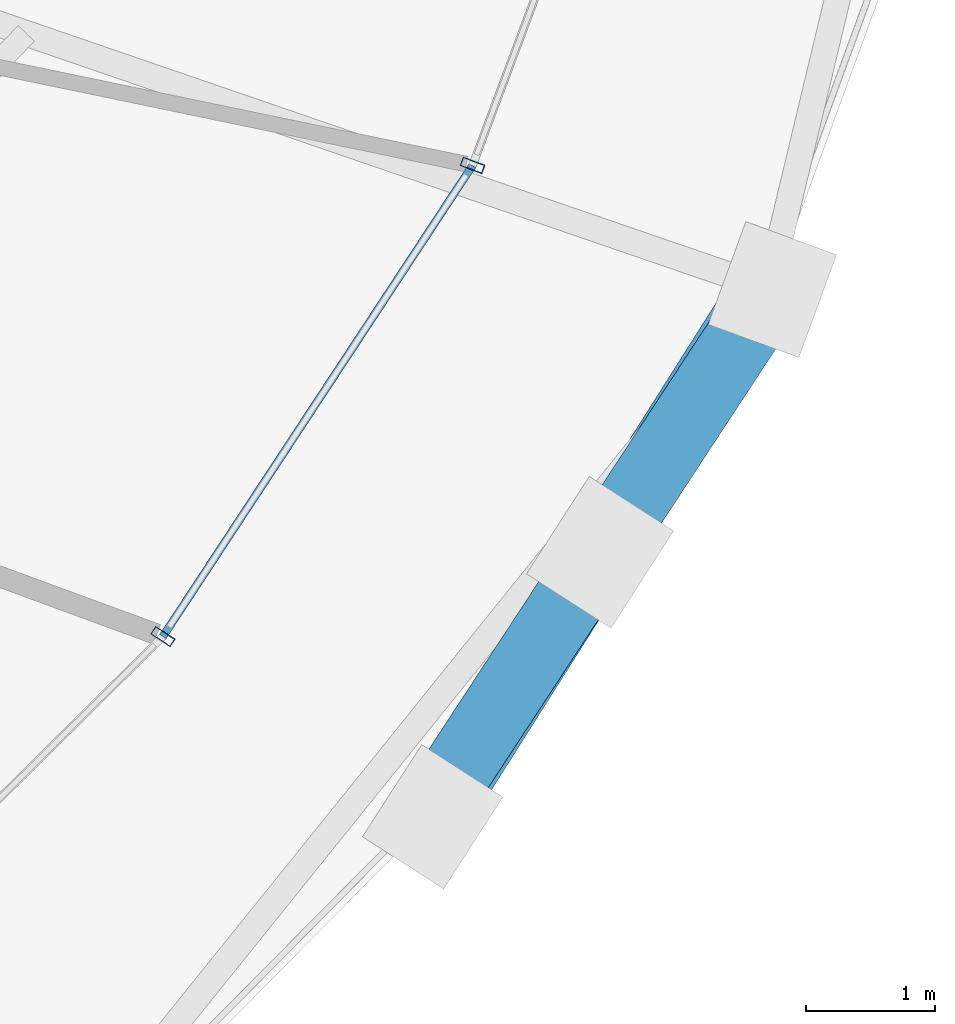
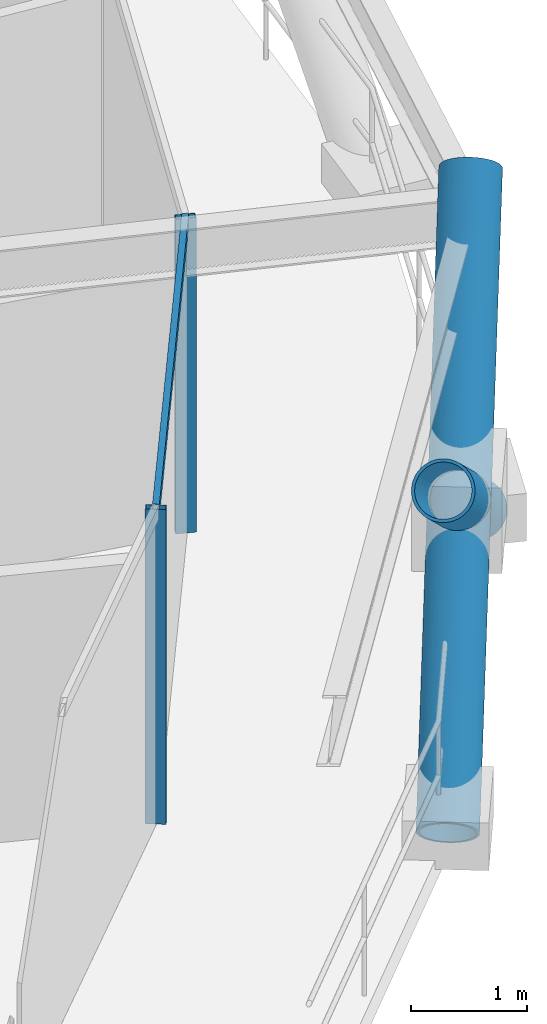
# One storey, part 6 of 20: 6 members, 1 element without a shape of its own.
"""IFC4 building model written with IfcOpenShell, lengths in metres."""

from ifc_helpers import new_model, si_unit, direction, frame, origin, origin_2d, place, context, subcontext, project, spatial, hollow_rectangle, hollow_circle, extrude, material, layer, layer_set, material_profile, profile_set, type_object, element, aggregate, save


model = new_model("IFC4")

# Units and contexts
model_context = context("Model", 3, precision=1e-05, world=origin(), true_north=direction((0.0, 1.0)))
body_context = subcontext(model_context, "Body", "Model", "MODEL_VIEW")
ifc_project = project(units=[si_unit("LENGTHUNIT", "METRE"), si_unit("AREAUNIT", "SQUARE_METRE"), si_unit("VOLUMEUNIT", "CUBIC_METRE"), si_unit("PLANEANGLEUNIT", "RADIAN"), si_unit("MASSUNIT", "GRAM", prefix="KILO")], contexts=[model_context])

# Site, building, storey
site_placement = place(None, origin())
site = spatial("IfcSite", under=ifc_project, at=site_placement, CompositionType="ELEMENT")
building_placement = place(site_placement, origin())
building = spatial("IfcBuilding", under=site, at=building_placement, Name="Veldorina Hangang Commons", CompositionType="ELEMENT")
storey_placement = place(building_placement, frame((0.0, 0.0, 131.60009765625)))
storey = spatial("IfcBuildingStorey", under=building, at=storey_placement, Name="L33", CompositionType="ELEMENT", Elevation=131.60009765625)

# Curtain wall, members
ifc_material_1 = material(Name="Glass Low-E Triple IGU", Category="glass")
ifc_layer = layer(ifc_material_1, 0.179931640625)
ifc_layer_set = layer_set([ifc_layer], Name="Glass Low-E Triple IGU")
curtain_wall_type = type_object("IfcCurtainWallType", Name="CW-SYS-Z2", PredefinedType="NOTDEFINED", material=ifc_layer_set)
curtain_wall_placement = place(storey_placement, origin())
curtain_wall = element("IfcCurtainWall", 1, at=curtain_wall_placement, inside=storey, type_object=curtain_wall_type, Name="L33 unitised curtain wall CW-L33-R2", PredefinedType="NOTDEFINED")
ifc_material_2 = material(Name="Aluminium Anodized AA6063-T6", Category="aluminium")
ifc_material_profile_1 = material_profile(ifc_material_2, hollow_rectangle(XDim=0.070068359375, YDim=0.179931640625, WallThickness=0.00390625, at=origin_2d()), Name="ALU-RHS-180x70x4")
ifc_profile_set_1 = profile_set([ifc_material_profile_1], Name="Aluminium Anodized AA6063-T6")
member_type_1 = type_object("IfcMemberType", Name="CW-MUL-180", PredefinedType="MULLION", material=ifc_profile_set_1)
member_1_placement = place(storey_placement, frame((53.637939453125, 12.243896484375, 0.0), z_axis=(0.0, 0.0, 1.0), x_axis=(0.549299952023, 0.835625252555, 0.0)))
member_1 = element("IfcMember", 2, at=member_1_placement, type_object=member_type_1, Name="CW-L33-R2 vertical mullion 2", PredefinedType="MULLION", context=body_context, shape_type="SweptSolid", body=[
    extrude(hollow_rectangle(XDim=0.070068359375, YDim=0.179931640625, WallThickness=0.00390625, at=origin_2d()), origin(), (0.0, 0.0, 1.0), 3.309814453125),
])
member_2_placement = place(storey_placement, frame((56.042724609375, 15.902099609375, 0.0), z_axis=(0.0, 0.0, 1.0), x_axis=(0.34953702309, 0.936922552557, 0.0)))
member_2 = element("IfcMember", 3, at=member_2_placement, type_object=member_type_1, Name="CW-L33-R2 vertical mullion 3", PredefinedType="MULLION", context=body_context, shape_type="SweptSolid", body=[
    extrude(hollow_rectangle(XDim=0.070068359375, YDim=0.179931640625, WallThickness=0.00390625, at=origin_2d()), origin(), (0.0, 0.0, 1.0), 3.309814453125),
])
ifc_material_profile_2 = material_profile(ifc_material_2, hollow_rectangle(XDim=0.06005859375, YDim=0.139892578125, WallThickness=0.00341796875, at=origin_2d()), Name="ALU-RHS-140x60x3.5")
ifc_profile_set_2 = profile_set([ifc_material_profile_2], Name="Aluminium Anodized AA6063-T6")
member_type_2 = type_object("IfcMemberType", Name="CW-TRN-140", PredefinedType="USERDEFINED", material=ifc_profile_set_2)
member_3_placement = place(storey_placement, frame((53.637939453125, 12.243896484375, 3.27001953125), z_axis=(0.549309190878, 0.835619179302, 0.0), x_axis=(-0.835619179302, 0.549309190878, 0.0)))
member_3 = element("IfcMember", 4, at=member_3_placement, type_object=member_type_2, Name="CW-L33-R2 facet 3 transom 1", ObjectType="TRANSOM", PredefinedType="USERDEFINED", context=body_context, shape_type="SweptSolid", body=[
    extrude(hollow_rectangle(XDim=0.06005859375, YDim=0.139892578125, WallThickness=0.00341796875, at=origin_2d()), origin(), (0.0, 0.0, 1.0), 4.3779296875),
])
aggregate(curtain_wall, [member_1, member_2, member_3])

# Members
ifc_material_3 = material(Name="Steel SM420-TMC", Category="steel")
ifc_material_profile_3 = material_profile(ifc_material_3, hollow_circle(Radius=0.27490234375, WallThickness=0.028076171875, at=origin_2d()), Name="CHS-550x28")
ifc_profile_set_3 = profile_set([ifc_material_profile_3], Name="Steel SM420-TMC")
member_type_3 = type_object("IfcMemberType", Name="DG-CHS550", PredefinedType="BRACE", material=ifc_profile_set_3)
member_4_placement = place(storey_placement, frame((55.733154296875, 10.84375, 0.0), z_axis=(0.429736225855, 0.678921869032, 0.595308215918), x_axis=(-0.844958352638, 0.534832106653, 0.0)))
element("IfcMember", 5, at=member_4_placement, inside=storey, type_object=member_type_3, Name="L33 continuous perimeter diagrid brace 29", PredefinedType="BRACE", context=body_context, shape_type="SweptSolid", body=[
    extrude(hollow_circle(Radius=0.27490234375, WallThickness=0.028076171875, at=origin_2d()), origin(), (0.0, 0.0, 1.0), 6.047119140625),
])
member_5_placement = place(storey_placement, frame((58.370849609375, 14.937744140625, 0.0), z_axis=(-0.441070023231, -0.67279684449, 0.593971077286), x_axis=(0.836306056728, -0.548262874432, 0.0)))
element("IfcMember", 6, at=member_5_placement, inside=storey, type_object=member_type_3, Name="L33 split perimeter diagrid lower brace 30", PredefinedType="BRACE", context=body_context, shape_type="SweptSolid", body=[
    extrude(hollow_circle(Radius=0.27490234375, WallThickness=0.028076171875, at=origin_2d()), origin(), (0.0, 0.0, 1.0), 3.0322265625),
])
member_6_placement = place(storey_placement, frame((57.033447265625, 12.897705078125, 1.801025390625), z_axis=(-0.441003785866, -0.672792795805, 0.594024843558), x_axis=(0.836342295785, -0.548207592324, 0.0)))
element("IfcMember", 7, at=member_6_placement, inside=storey, type_object=member_type_3, Name="L33 split perimeter diagrid upper brace 30", PredefinedType="BRACE", context=body_context, shape_type="SweptSolid", body=[
    extrude(hollow_circle(Radius=0.27490234375, WallThickness=0.028076171875, at=origin_2d()), origin(), (0.0, 0.0, 1.0), 3.0283203125),
])

save(model, "model.ifc")
